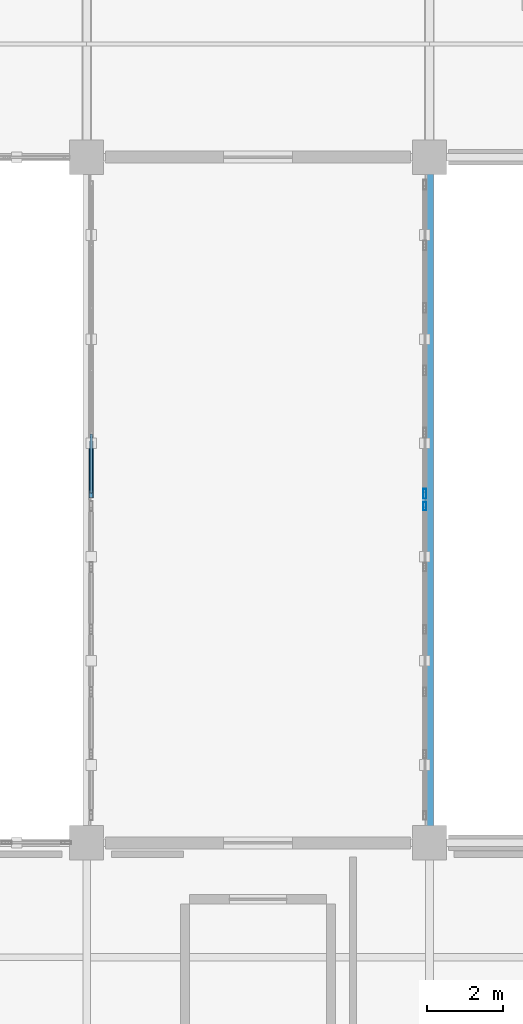
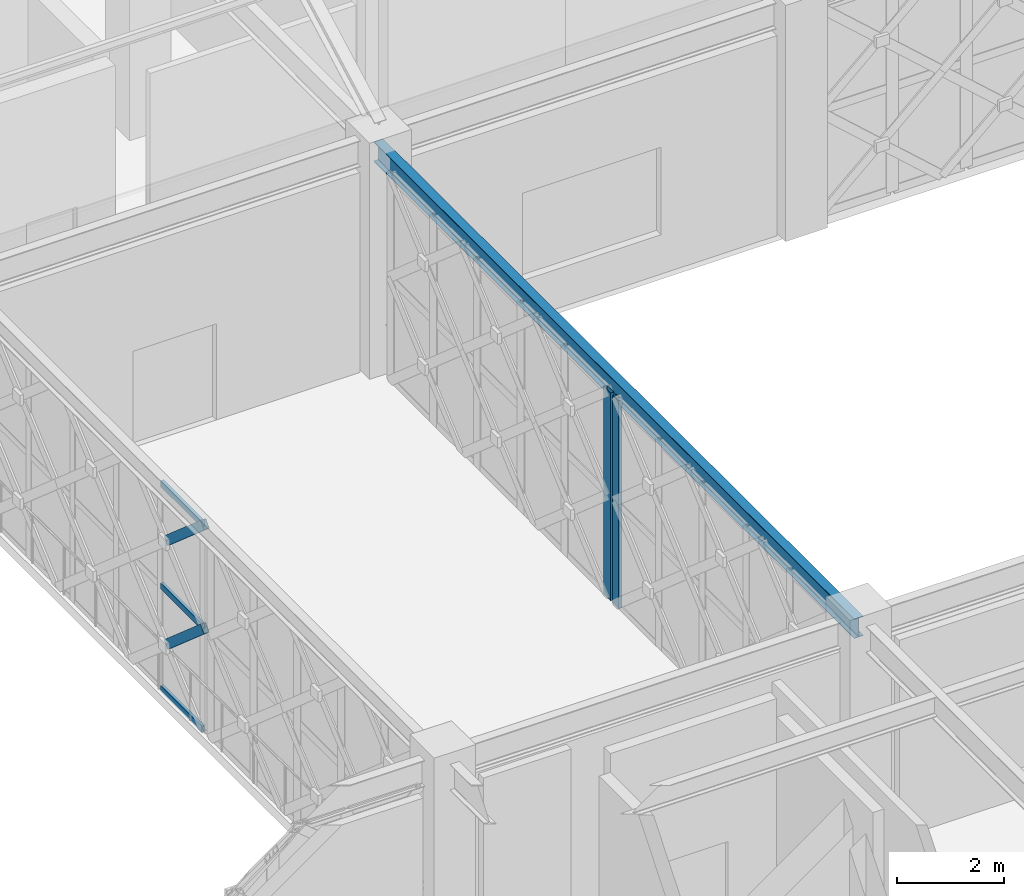
# One storey, part 20 of 166: 7 members, 1 beam, 3 elements without a shape of their own.
"""IFC4 building model written with IfcOpenShell, lengths in metres."""

from ifc_helpers import new_model, si_unit, direction, frame, origin, origin_2d, place, context, subcontext, project, spatial, hollow_rectangle, i_section, extrude, material, material_profile, profile_set, type_object, element, aggregate, save


model = new_model("IFC4")

# Units and contexts
model_context = context("Model", 3, precision=1e-05, world=origin(), true_north=direction((0.0, 1.0)))
body_context = subcontext(model_context, "Body", "Model", "MODEL_VIEW")
ifc_project = project(units=[si_unit("LENGTHUNIT", "METRE"), si_unit("AREAUNIT", "SQUARE_METRE"), si_unit("VOLUMEUNIT", "CUBIC_METRE"), si_unit("PLANEANGLEUNIT", "RADIAN"), si_unit("MASSUNIT", "GRAM", prefix="KILO")], contexts=[model_context])

# Site, building, storey
site_placement = place(None, origin())
site = spatial("IfcSite", under=ifc_project, at=site_placement, CompositionType="ELEMENT")
building_placement = place(site_placement, origin())
building = spatial("IfcBuilding", under=site, at=building_placement, Name="Haizhuo Lancet Aquarium", CompositionType="ELEMENT")
storey_placement = place(building_placement, frame((0.0, 0.0, 5.39990234375)))
storey = spatial("IfcBuildingStorey", under=building, at=storey_placement, Name="L01", CompositionType="ELEMENT", Elevation=5.39990234375)

# Curtain wall, member
ifc_material_1 = material(Name="Aluminium 6063-T6", Category="aluminium")
curtain_wall_type = type_object("IfcCurtainWallType", Name="CWO-8200x4750", PredefinedType="NOTDEFINED", material=ifc_material_1)
curtain_wall_1_placement = place(storey_placement, origin())
curtain_wall_1 = element("IfcCurtainWall", 1, at=curtain_wall_1_placement, inside=storey, type_object=curtain_wall_type, Name="L01 curtain wall CW-SB-01-E1", PredefinedType="NOTDEFINED")
ifc_material_profile_1 = material_profile(ifc_material_1, hollow_rectangle(XDim=0.074951171875, YDim=0.219970703125, WallThickness=0.0048828125, at=origin_2d()), Name="ALU-M 75x220x5")
ifc_profile_set_1 = profile_set([ifc_material_profile_1], Name="Aluminium 6063-T6")
member_type_1 = type_object("IfcMemberType", Name="CW-MUL-2", PredefinedType="MULLION", material=ifc_profile_set_1)
member_1_placement = place(storey_placement, frame((-54.1201171875, -0.157958984375, 0.0), z_axis=(0.0, 0.0, 1.0), x_axis=(1.0, 0.0, 0.0)))
member_1 = element("IfcMember", 2, at=member_1_placement, type_object=member_type_1, Name="CWO-82x47 mullion 1", PredefinedType="MULLION", context=body_context, shape_type="SweptSolid", body=[
    extrude(hollow_rectangle(XDim=0.074951171875, YDim=0.219970703125, WallThickness=0.0048828125, at=origin_2d()), origin(), (0.0, 0.0, 1.0), 4.75),
])
aggregate(curtain_wall_1, [member_1])

curtain_wall_2_placement = place(storey_placement, origin())
curtain_wall_2 = element("IfcCurtainWall", 3, at=curtain_wall_2_placement, inside=storey, type_object=curtain_wall_type, Name="L01 curtain wall CW-SB-01-E2", PredefinedType="NOTDEFINED")
ifc_material_profile_2 = material_profile(ifc_material_1, hollow_rectangle(XDim=0.080078125, YDim=0.260009765625, WallThickness=0.0048828125, at=origin_2d()), Name="ALU-M 80x260x5")
ifc_profile_set_2 = profile_set([ifc_material_profile_2], Name="Aluminium 6063-T6")
member_type_2 = type_object("IfcMemberType", Name="CW-MUL-3", PredefinedType="MULLION", material=ifc_profile_set_2)
member_2_placement = place(storey_placement, frame((-54.1201171875, 0.159912109375, 0.0), z_axis=(0.0, 0.0, 1.0), x_axis=(1.0, 0.0, 0.0)))
member_2 = element("IfcMember", 4, at=member_2_placement, type_object=member_type_2, Name="CWO-82x47 mullion 6", PredefinedType="MULLION", context=body_context, shape_type="SweptSolid", body=[
    extrude(hollow_rectangle(XDim=0.080078125, YDim=0.260009765625, WallThickness=0.0048828125, at=origin_2d()), origin(), (0.0, 0.0, 1.0), 4.75),
])
aggregate(curtain_wall_2, [member_2])

# Curtain wall, members
curtain_wall_3_placement = place(storey_placement, origin())
curtain_wall_3 = element("IfcCurtainWall", 5, at=curtain_wall_3_placement, inside=storey, type_object=curtain_wall_type, Name="L01 curtain wall CW-SB-01-W2", PredefinedType="NOTDEFINED")
ifc_material_profile_3 = material_profile(ifc_material_1, hollow_rectangle(XDim=0.06494140625, YDim=0.139892578125, WallThickness=0.00390625, at=origin_2d()), Name="ALU-T 65x140x4")
ifc_profile_set_3 = profile_set([ifc_material_profile_3], Name="Aluminium 6063-T6")
member_type_3 = type_object("IfcMemberType", Name="CW-TRN-1", PredefinedType="NOTDEFINED", material=ifc_profile_set_3)
member_3_placement = place(storey_placement, frame((-62.8798828125, 0.18505859375, 0.033203125), z_axis=(0.0, 1.0, 0.0), x_axis=(-1.0, 0.0, 0.0)))
member_3 = element("IfcMember", 6, at=member_3_placement, type_object=member_type_3, Name="CWO-82x47 transom 1.1", ObjectType="TRANSOM", PredefinedType="USERDEFINED", context=body_context, shape_type="SweptSolid", body=[
    extrude(hollow_rectangle(XDim=0.06494140625, YDim=0.139892578125, WallThickness=0.00390625, at=origin_2d()), origin(), (0.0, 0.0, 1.0), 1.54296875),
])
member_4_placement = place(storey_placement, frame((-62.8798828125, 0.18505859375, 2.375), z_axis=(0.0, 1.0, 0.0), x_axis=(-1.0, 0.0, 0.0)))
member_4 = element("IfcMember", 7, at=member_4_placement, type_object=member_type_3, Name="CWO-82x47 transom 1.2", ObjectType="TRANSOM", PredefinedType="USERDEFINED", context=body_context, shape_type="SweptSolid", body=[
    extrude(hollow_rectangle(XDim=0.06494140625, YDim=0.139892578125, WallThickness=0.00390625, at=origin_2d()), origin(), (0.0, 0.0, 1.0), 1.54296875),
])
member_5_placement = place(storey_placement, frame((-62.8798828125, 0.18505859375, 4.717041015625), z_axis=(0.0, 1.0, 0.0), x_axis=(-1.0, 0.0, 0.0)))
member_5 = element("IfcMember", 8, at=member_5_placement, type_object=member_type_3, Name="CWO-82x47 transom 1.3", ObjectType="TRANSOM", PredefinedType="USERDEFINED", context=body_context, shape_type="SweptSolid", body=[
    extrude(hollow_rectangle(XDim=0.06494140625, YDim=0.139892578125, WallThickness=0.00390625, at=origin_2d()), origin(), (0.0, 0.0, 1.0), 1.54296875),
])
aggregate(curtain_wall_3, [member_3, member_4, member_5])

# Beam
ifc_material_2 = material(Name="Steel S355", Category="steel")
ifc_material_profile_4 = material_profile(ifc_material_2, i_section(OverallWidth=0.199951171875, OverallDepth=0.449951171875, WebThickness=0.009033203125, FlangeThickness=0.013916015625, FilletRadius=0.01806640625, at=origin_2d()), Name="HN 450x200x9x14")
ifc_profile_set_4 = profile_set([ifc_material_profile_4], Name="Steel S355")
beam_type = type_object("IfcBeamType", Name="JST-ST-HN450", PredefinedType="JOIST", material=ifc_profile_set_4)
beam_placement = place(storey_placement, frame((-54.0, -9.0, 4.815185546875), z_axis=(0.0, 1.0, 0.0), x_axis=(-1.0, 0.0, 0.0)))
element("IfcBeam", 9, at=beam_placement, inside=storey, type_object=beam_type, Name="Bridge roof longitudinal girder SB-01 2", PredefinedType="JOIST", context=body_context, shape_type="SweptSolid", body=[
    extrude(i_section(OverallWidth=0.199951171875, OverallDepth=0.449951171875, WebThickness=0.009033203125, FlangeThickness=0.013916015625, FilletRadius=0.01806640625, at=origin_2d()), origin(), (0.0, 0.0, 1.0), 18.0),
])

# Members
ifc_material_profile_5 = material_profile(ifc_material_2, hollow_rectangle(XDim=0.1201171875, YDim=0.199951171875, WallThickness=0.008056640625, at=origin_2d()), Name="RHS 120x200x8")
ifc_profile_set_5 = profile_set([ifc_material_profile_5], Name="Steel S355")
member_type_4 = type_object("IfcMemberType", Name="MEM-LB-RHS120x200", PredefinedType="BRACE", material=ifc_profile_set_5)
for number, where, z_axis, x_axis, name in (
    (10, (-62.8798828125, 1.487060546875, 1.18798828125), (0.0, -0.755052443892, 0.655664401179), (1.0, 0.0, 0.0), "Gothic lancet split diagonal brace CW-SB-01-W2 1B2"),
    (11, (-62.8798828125, 1.487060546875, 3.56298828125), (0.0, -0.755052443892, 0.655664401179), (1.0, 0.0, 0.0), "Gothic lancet split diagonal brace CW-SB-01-W2 2B2"),
):
    element("IfcMember", number, at=place(storey_placement, frame(where, z_axis=z_axis, x_axis=x_axis)), inside=storey, type_object=member_type_4, Name=name, PredefinedType="BRACE", context=body_context, shape_type="SweptSolid", body=[
        extrude(hollow_rectangle(XDim=0.1201171875, YDim=0.199951171875, WallThickness=0.008056640625, at=origin_2d()), origin(), (0.0, 0.0, 1.0), 1.810302734375),
    ])

save(model, "model.ifc")
